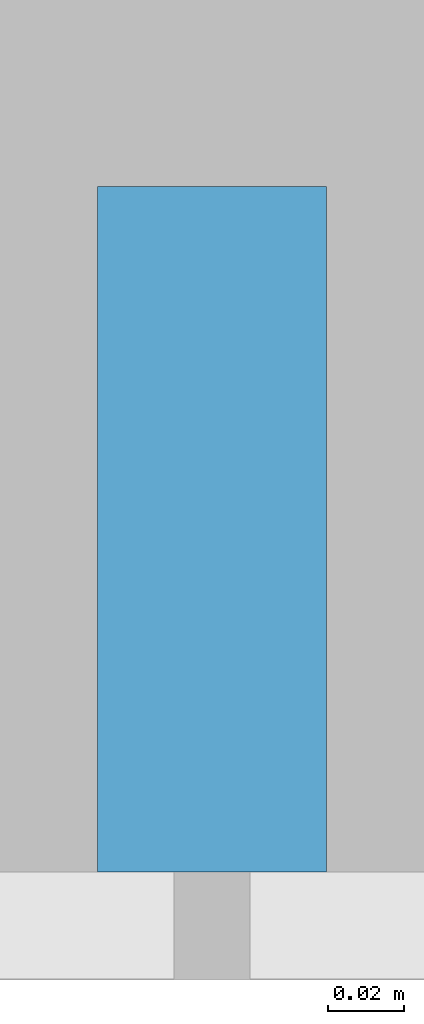
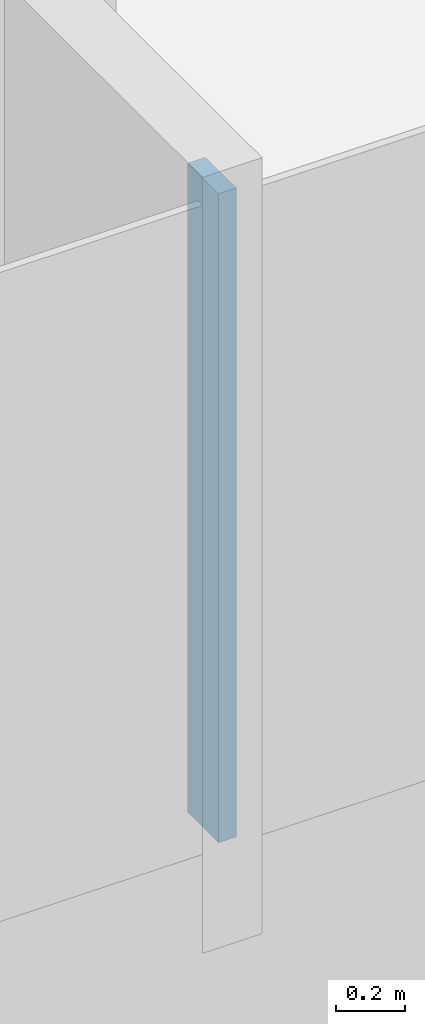
# One storey, part 3 of 26: 1 member, 1 element without a shape of its own.
"""IFC4 building model written with IfcOpenShell, lengths in metres."""

from ifc_helpers import new_model, si_unit, direction, frame, origin, origin_2d, place, context, subcontext, project, spatial, rectangle, extrude, material, layer, layer_set, material_profile, profile_set, type_object, element, aggregate, save


model = new_model("IFC4")

# Units and contexts
model_context = context("Model", 3, precision=1e-05, world=origin(), true_north=direction((0.0, 1.0)))
body_context = subcontext(model_context, "Body", "Model", "MODEL_VIEW")
ifc_project = project(units=[si_unit("LENGTHUNIT", "METRE"), si_unit("AREAUNIT", "SQUARE_METRE"), si_unit("VOLUMEUNIT", "CUBIC_METRE"), si_unit("PLANEANGLEUNIT", "RADIAN"), si_unit("MASSUNIT", "GRAM", prefix="KILO")], contexts=[model_context])

# Site, building, storey
site_placement = place(None, origin())
site = spatial("IfcSite", under=ifc_project, at=site_placement, CompositionType="ELEMENT")
building_placement = place(site_placement, origin())
building = spatial("IfcBuilding", under=site, at=building_placement, Name="Hakoniwa Tower and Hamabe Station Hall", CompositionType="ELEMENT")
storey_placement = place(building_placement, frame((0.0, 0.0, 221.800048828125)))
storey = spatial("IfcBuildingStorey", under=building, at=storey_placement, Name="L63", CompositionType="ELEMENT", Elevation=221.800048828125)

# Curtain wall, member
ifc_material_1 = material(Name="Dark low-e laminated glass", Category="glass")
ifc_layer = layer(ifc_material_1, 0.199951171875)
ifc_layer_set = layer_set([ifc_layer], Name="CW-1 UNITISED GUEST")
curtain_wall_type = type_object("IfcCurtainWallType", Name="CW-1 UNITISED GUEST", PredefinedType="NOTDEFINED", material=ifc_layer_set)
curtain_wall_placement = place(storey_placement, origin())
curtain_wall = element("IfcCurtainWall", 1, at=curtain_wall_placement, inside=storey, type_object=curtain_wall_type, Name="CW-1 curtain wall", PredefinedType="NOTDEFINED")
ifc_material_2 = material(Name="Aluminium 6063-T5 black anodised", Category="aluminium")
ifc_material_profile = material_profile(ifc_material_2, rectangle(XDim=0.06005859375, YDim=0.179931640625, at=origin_2d()), Name="CW-1 MULLION 60X180")
ifc_profile_set = profile_set([ifc_material_profile], Name="Aluminium 6063-T5 black anodised")
member_type = type_object("IfcMemberType", Name="CW-1 MULLION 60X180", PredefinedType="MULLION", material=ifc_profile_set)
member_placement = place(storey_placement, frame((0.0, -15.431884765625, 0.349853515625), z_axis=(0.0, 0.0, 1.0), x_axis=(1.0, 0.0, 0.0)))
member = element("IfcMember", 2, at=member_placement, type_object=member_type, Name="CW-1 mullion", PredefinedType="MULLION", context=body_context, shape_type="SweptSolid", body=[
    extrude(rectangle(XDim=0.06005859375, YDim=0.179931640625, at=origin_2d()), origin(), (0.0, 0.0, 1.0), 2.300048828125),
])
aggregate(curtain_wall, [member])

save(model, "model.ifc")
